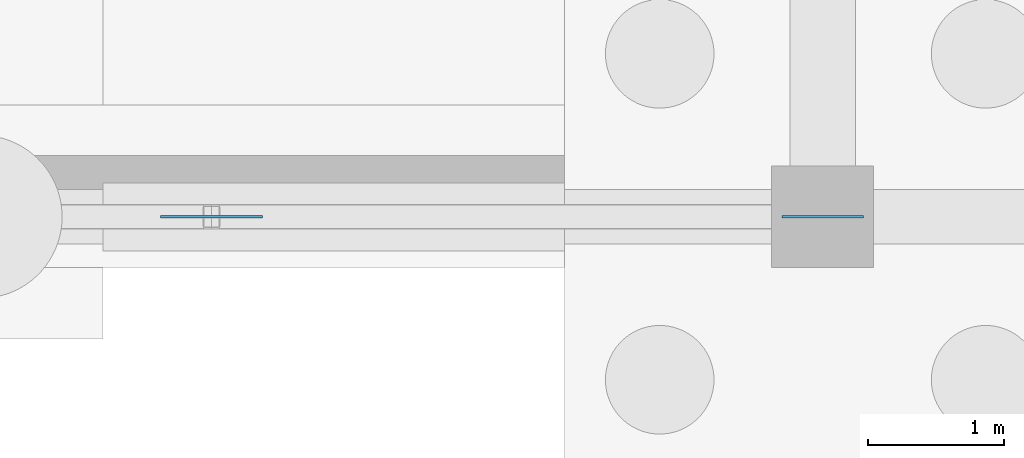
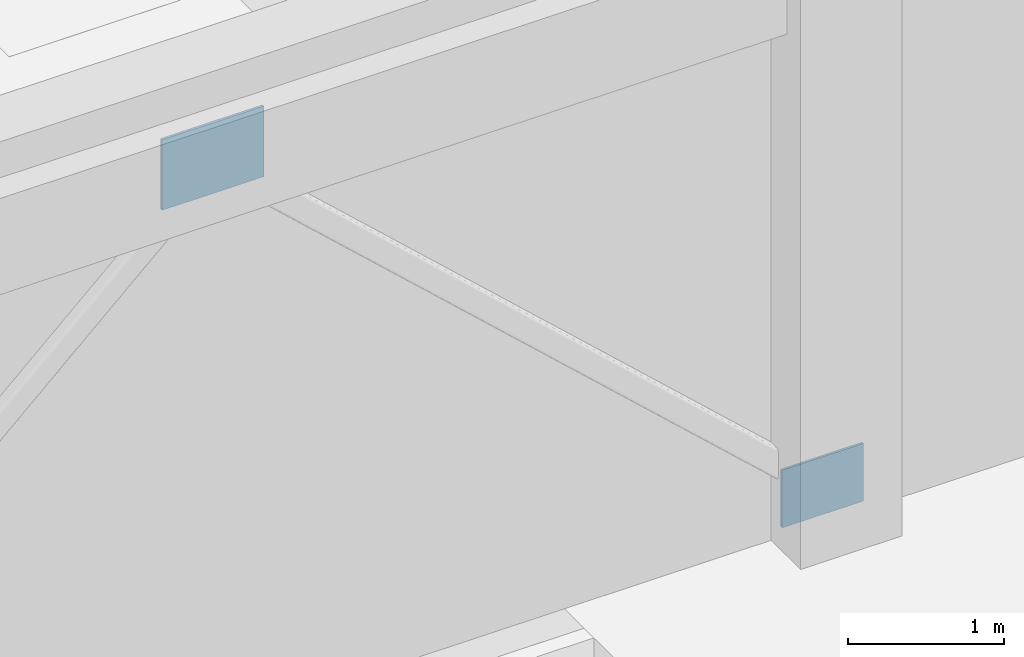
# One storey, part 40 of 62: 2 plates.
"""IFC4 building model written with IfcOpenShell, lengths in metres."""

import ifcopenshell
import ifcopenshell.guid

model = None  # the IFC model being written
_history = None  # IfcOwnerHistory: only IFC2X3 demands one
_inside = {}  # id of a spatial element -> (the spatial element, [elements in it])
_under = {}  # id of a project, library or spatial element -> (it, [spatial elements below it])
_declared = {}  # id of a project -> (the project, [libraries it declares])
_typed = {}  # id of a type object -> (the type object, [elements of that type])
_made_of = {}  # id of a material, layer set ... -> (it, [elements and type objects made of it])


def new_model(schema):
    """Start an empty IFC model of exactly this schema.

    Asked for "IFC4X3", IfcOpenShell would pick the latest addendum, in which some entities
    have other attributes; the version numbers below select the first issue.
    IFC2X3 requires an IfcOwnerHistory on every rooted entity: one is made here for all.
    """
    global model, _history
    if schema == "IFC4X3":
        model = ifcopenshell.file(schema_version=(4, 3, 0, 0))
    else:
        model = ifcopenshell.file(schema=schema)
    _inside.clear()
    _under.clear()
    _declared.clear()
    _typed.clear()
    _made_of.clear()
    _history = None
    if model.schema == "IFC2X3":
        org = make("IfcOrganization", Name="unknown")
        user = make(
            "IfcPersonAndOrganization",
            ThePerson=make("IfcPerson", FamilyName="unknown"),
            TheOrganization=org,
        )
        app = make(
            "IfcApplication",
            ApplicationDeveloper=org,
            Version="unknown",
            ApplicationFullName="unknown",
            ApplicationIdentifier="unknown",
        )
        _history = make(
            "IfcOwnerHistory",
            OwningUser=user,
            OwningApplication=app,
            ChangeAction="ADDED",
            CreationDate=0,
        )
    return model


def make(cls, **values):
    """One entity of the class cls with the attributes given. An attribute that is None is left unset."""
    return model.create_entity(
        cls, **{name: value for name, value in values.items() if value is not None}
    )


def rooted(cls, **values):
    """An entity with a GlobalId (a new one), such as an element, a storey or a relation."""
    return make(cls, GlobalId=ifcopenshell.guid.new(), OwnerHistory=_history, **values)


def si_unit(unit_type, name, prefix=None):
    """IfcSIUnit, for example si_unit("LENGTHUNIT", "METRE", prefix="MILLI")."""
    return make("IfcSIUnit", UnitType=unit_type, Prefix=prefix, Name=name)


def assignment(units):
    """IfcUnitAssignment: the units of a project."""
    return None if units is None else make("IfcUnitAssignment", Units=units)


def point(xyz):
    """IfcCartesianPoint."""
    return None if xyz is None else make("IfcCartesianPoint", Coordinates=xyz)


def direction(xyz):
    """IfcDirection."""
    return None if xyz is None else make("IfcDirection", DirectionRatios=xyz)


def frame(location, z_axis=None, x_axis=None):
    """IfcAxis2Placement3D, a coordinate frame: its origin and axes. An axis left out is left unset."""
    return make(
        "IfcAxis2Placement3D",
        Location=point(location),
        Axis=direction(z_axis),
        RefDirection=direction(x_axis),
    )


def frame_2d(location, x_axis=None):
    """IfcAxis2Placement2D, a coordinate frame in the plane: its origin and x axis."""
    return make(
        "IfcAxis2Placement2D", Location=point(location), RefDirection=direction(x_axis)
    )


def origin():
    """The frame at (0, 0, 0) with its axes left unset."""
    return frame((0.0, 0.0, 0.0))


def origin_2d():
    """The frame at (0, 0) in the plane with its x axis left unset."""
    return frame_2d((0.0, 0.0))


def place(relative_to, where):
    """IfcLocalPlacement: puts the frame where relative to a parent placement (None: the world)."""
    return make(
        "IfcLocalPlacement", PlacementRelTo=relative_to, RelativePlacement=where
    )


def context(
    kind, dimensions, precision=None, world=None, true_north=None, identifier=None
):
    """IfcGeometricRepresentationContext, for example the 3D "Model" context."""
    return make(
        "IfcGeometricRepresentationContext",
        ContextIdentifier=identifier,
        ContextType=kind,
        CoordinateSpaceDimension=dimensions,
        Precision=precision,
        WorldCoordinateSystem=world,
        TrueNorth=true_north,
    )


def subcontext(parent, identifier, kind, view, scale=None):
    """IfcGeometricRepresentationSubContext, for example "Body" below "Model"."""
    return make(
        "IfcGeometricRepresentationSubContext",
        ContextIdentifier=identifier,
        ContextType=kind,
        ParentContext=parent,
        TargetScale=scale,
        TargetView=view,
    )


def project(units=None, contexts=None):
    """IfcProject with its units and contexts."""
    return rooted(
        "IfcProject",
        Name="project",
        RepresentationContexts=contexts,
        UnitsInContext=assignment(units),
    )


def spatial(cls, under=None, at=None, **own):
    """A site, building, storey or space (cls), placed at a placement, below another one or the project."""
    s = rooted(cls, ObjectPlacement=at, **own)
    if under is not None:
        _under.setdefault(under.id(), (under, []))[1].append(s)
    return s


def profile(cls, at=None, kind="AREA", **sizes):
    """A parametric profile (cls). Its sizes go by their IFC names, for example OverallWidth=200.0."""
    return make(cls, ProfileType=kind, Position=at, **sizes)


def rectangle(**sizes):
    """IfcRectangleProfileDef."""
    return profile("IfcRectangleProfileDef", **sizes)


def extrude(swept, where, along, depth):
    """IfcExtrudedAreaSolid: the profile swept, set in the frame where, extruded along a direction by depth."""
    return make(
        "IfcExtrudedAreaSolid",
        SweptArea=swept,
        Position=where,
        ExtrudedDirection=direction(along),
        Depth=depth,
    )


def shape(context_of_items, identifier, shape_type, items):
    """IfcShapeRepresentation: the items that make up one representation, for example the "Body"."""
    return make(
        "IfcShapeRepresentation",
        ContextOfItems=context_of_items,
        RepresentationIdentifier=identifier,
        RepresentationType=shape_type,
        Items=items,
    )


def material(Name=None, Category=None):
    """IfcMaterial."""
    return make("IfcMaterial", Name=Name, Category=Category)


def layer(
    of_material, thickness, ventilated=None, Name=None, Category=None, Priority=None
):
    """IfcMaterialLayer: one layer of a wall or slab, of a material (None: an air gap)."""
    return make(
        "IfcMaterialLayer",
        Material=of_material,
        LayerThickness=thickness,
        IsVentilated=ventilated,
        Name=Name,
        Category=Category,
        Priority=Priority,
    )


def layer_set(layers, Name=None):
    """IfcMaterialLayerSet."""
    return make("IfcMaterialLayerSet", MaterialLayers=layers, LayerSetName=Name)


def made_of(thing, what):
    """Note that an element or type object is made of a material, layer set ...; save() writes the relation."""
    if what is not None:
        _made_of.setdefault(what.id(), (what, []))[1].append(thing)
    return thing


def type_object(cls, material=None, **own):
    """A type object (cls), such as IfcWallType, which elements share."""
    return made_of(rooted(cls, **own), material)


def element(
    cls,
    number,
    at=None,
    inside=None,
    cuts=None,
    type_object=None,
    material=None,
    context=None,
    identifier="Body",
    shape_type=None,
    held_by="IfcProductDefinitionShape",
    body=None,
    shapes=None,
    **own,
):
    """One element of the class cls, such as IfcWall. Its Tag is "e" and its number.

    at: its placement. inside: the storey or other place that contains it. cuts: it is an
    opening in that element (IfcRelVoidsElement). A single representation is given by context,
    identifier, shape_type and body (its items); several are given by shapes. held_by: the class
    of the entity that holds the representations. save() writes the other relations.
    """
    e = rooted(cls, Tag="e%d" % number, ObjectPlacement=at, **own)
    if body is not None:
        shapes = [shape(context, identifier, shape_type, body)]
    if shapes is not None:
        e.Representation = make(held_by, Representations=shapes)
    if inside is not None:
        _inside.setdefault(inside.id(), (inside, []))[1].append(e)
    if cuts is not None:
        rooted(
            "IfcRelVoidsElement", RelatingBuildingElement=cuts, RelatedOpeningElement=e
        )
    if type_object is not None:
        _typed.setdefault(type_object.id(), (type_object, []))[1].append(e)
    return made_of(e, material)


def aggregate(whole, parts):
    """IfcRelAggregates: a whole, such as a stair, and the parts it consists of."""
    return rooted("IfcRelAggregates", RelatingObject=whole, RelatedObjects=parts)


def save(model, path):
    """Write the relations noted so far, then the file.

    IfcRelAggregates (storeys below a building ...), IfcRelContainedInSpatialStructure (elements
    in a storey), IfcRelDefinesByType, IfcRelAssociatesMaterial and IfcRelDeclares: one each for
    every whole, place, type object, material and project.
    """
    for whole, parts in _under.values():
        aggregate(whole, parts)
    for where, things in _inside.values():
        rooted(
            "IfcRelContainedInSpatialStructure",
            RelatedElements=things,
            RelatingStructure=where,
        )
    for kind, things in _typed.values():
        rooted("IfcRelDefinesByType", RelatedObjects=things, RelatingType=kind)
    for what, things in _made_of.values():
        rooted("IfcRelAssociatesMaterial", RelatedObjects=things, RelatingMaterial=what)
    for by, libraries in _declared.values():
        rooted("IfcRelDeclares", RelatingContext=by, RelatedDefinitions=libraries)
    model.write(path)


model = new_model("IFC4")

# Units and contexts
model_context = context("Model", 3, precision=1e-05, world=origin(), true_north=direction((0.0, 1.0)))
body_context = subcontext(model_context, "Body", "Model", "MODEL_VIEW")
ifc_project = project(units=[si_unit("LENGTHUNIT", "METRE"), si_unit("AREAUNIT", "SQUARE_METRE"), si_unit("VOLUMEUNIT", "CUBIC_METRE"), si_unit("PLANEANGLEUNIT", "RADIAN"), si_unit("MASSUNIT", "GRAM", prefix="KILO")], contexts=[model_context])

# Site, building, storey
site_placement = place(None, origin())
site = spatial("IfcSite", under=ifc_project, at=site_placement, CompositionType="ELEMENT")
building_placement = place(site_placement, origin())
building = spatial("IfcBuilding", under=site, at=building_placement, Name="Miravela Opera House", CompositionType="ELEMENT")
storey_placement = place(building_placement, frame((0.0, 0.0, -5.10009765625)))
storey = spatial("IfcBuildingStorey", under=building, at=storey_placement, Name="B01", CompositionType="ELEMENT", Elevation=-5.10009765625)

# Plates
ifc_material = material(Name="Structural steel ASTM A572 Gr. 50", Category="steel")
ifc_layer_1 = layer(ifc_material, 0.01806640625)
ifc_layer_set_1 = layer_set([ifc_layer_1])
plate_type_1 = type_object("IfcPlateType", Name="STR-PL-GUS-600X450X18", PredefinedType="USERDEFINED", material=ifc_layer_set_1)
plate_1_placement = place(storey_placement, frame((135.0, 0.0, 0.0751953125), z_axis=(0.0, 0.0, 1.0), x_axis=(1.0, 0.0, 0.0)))
element("IfcPlate", 1, at=plate_1_placement, inside=storey, type_object=plate_type_1, Name="Brace Wall Cast-In Embed Plate 308", ObjectType="GUSSET PLATE", PredefinedType="USERDEFINED", context=body_context, shape_type="SweptSolid", body=[
    extrude(rectangle(XDim=0.60009765625, YDim=0.01806640625, at=origin_2d()), origin(), (0.0, 0.0, 1.0), 0.449951171875),
])
ifc_layer_2 = layer(ifc_material, 0.02001953125)
ifc_layer_set_2 = layer_set([ifc_layer_2])
plate_type_2 = type_object("IfcPlateType", Name="STR-PL-GUS-750X550X20", PredefinedType="USERDEFINED", material=ifc_layer_set_2)
plate_2_placement = place(storey_placement, frame((130.5, 0.0, 4.1552734375), z_axis=(0.0, 0.0, 1.0), x_axis=(1.0, 0.0, 0.0)))
element("IfcPlate", 2, at=plate_2_placement, inside=storey, type_object=plate_type_2, Name="Chevron Brace Apex Gusset Plate 306", ObjectType="GUSSET PLATE", PredefinedType="USERDEFINED", context=body_context, shape_type="SweptSolid", body=[
    extrude(rectangle(XDim=0.75, YDim=0.02001953125, at=origin_2d()), origin(), (0.0, 0.0, 1.0), 0.550048828125),
])

save(model, "model.ifc")
